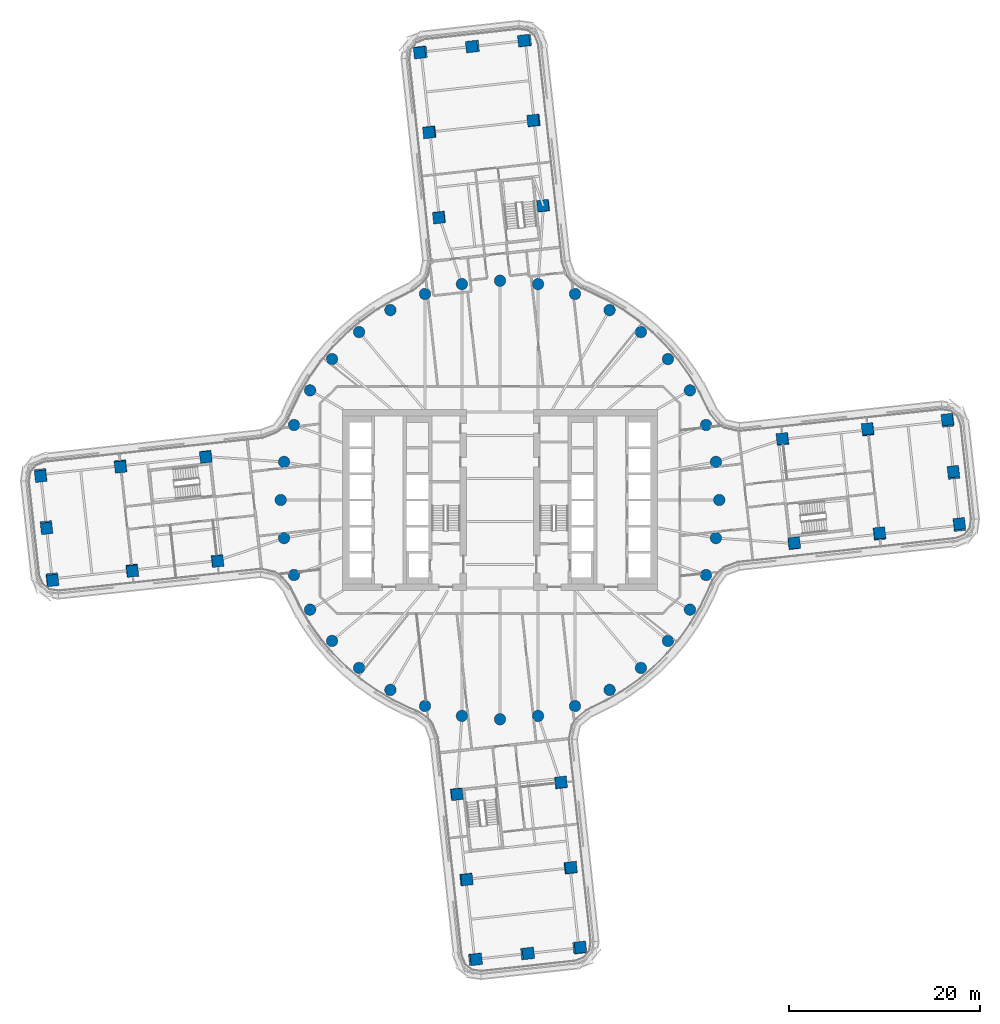
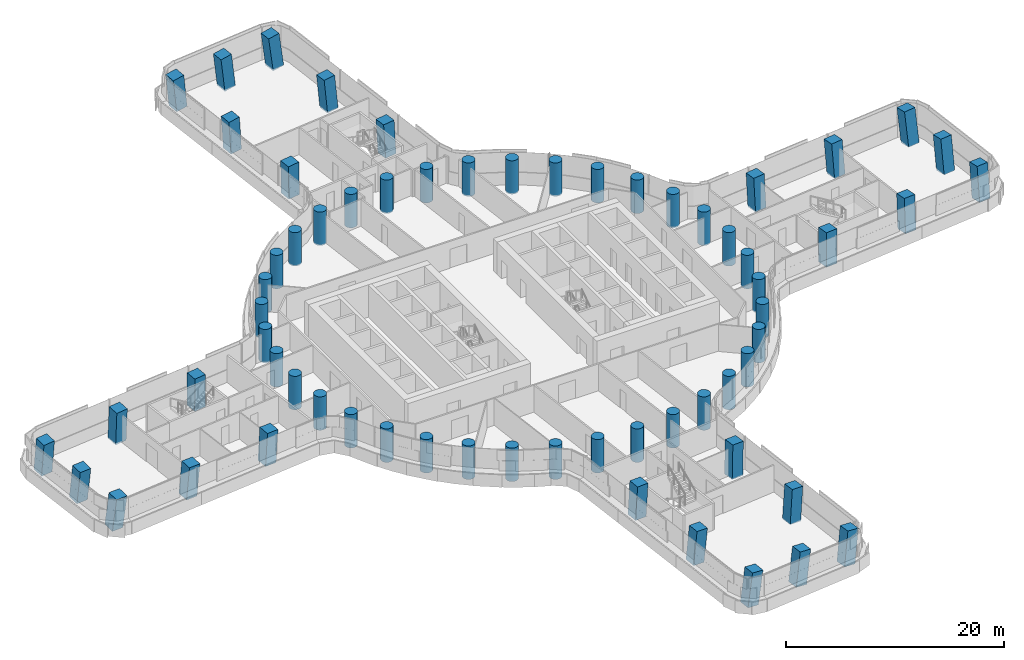
# One storey, part 1 of 31: 64 columns.
"""IFC4 building model written with IfcOpenShell, lengths in metres."""

from ifc_helpers import new_model, si_unit, direction, frame, origin, origin_2d, place, context, subcontext, project, spatial, rectangle, circle, extrude, material, material_profile, profile_set, type_object, element, save


model = new_model("IFC4")

# Units and contexts
model_context = context("Model", 3, precision=1e-05, world=origin(), true_north=direction((0.0, 1.0)))
body_context = subcontext(model_context, "Body", "Model", "MODEL_VIEW")
ifc_project = project(units=[si_unit("LENGTHUNIT", "METRE"), si_unit("AREAUNIT", "SQUARE_METRE"), si_unit("VOLUMEUNIT", "CUBIC_METRE"), si_unit("PLANEANGLEUNIT", "RADIAN"), si_unit("MASSUNIT", "GRAM", prefix="KILO")], contexts=[model_context])

# Site, building, storey
site_placement = place(None, origin())
site = spatial("IfcSite", under=ifc_project, at=site_placement, CompositionType="ELEMENT")
building_placement = place(site_placement, origin())
building = spatial("IfcBuilding", under=site, at=building_placement, Name="Tamarind Cross Interchange Tower", CompositionType="ELEMENT")
storey_placement = place(building_placement, frame((0.0, 0.0, 56.5)))
storey = spatial("IfcBuildingStorey", under=building, at=storey_placement, Name="L12", CompositionType="ELEMENT", Elevation=56.5)

# Columns
ifc_material = material(Name="Concrete C70", Category="concrete")
ifc_material_profile_1 = material_profile(ifc_material, rectangle(XDim=1.199951171875, YDim=1.199951171875, at=origin_2d()), Name="RC 1200x1200")
ifc_profile_set_1 = profile_set([ifc_material_profile_1], Name="Concrete C70")
column_type_1 = type_object("IfcColumnType", Name="Column RC 1200x1200 Concrete C70", PredefinedType="COLUMN", material=ifc_profile_set_1)
for number, where, z_axis, x_axis, name in (
    (1, (38.595947265625, 7.356201171875, -0.138427734375), (-0.036347795129, 0.080094962837, 0.99612430686), (0.107346929552, -0.990702621431, 0.083576028891), "Column L12-036"),
    (2, (39.797119140625, -3.577880859375, -0.138427734375), (0.016551312895, 0.08632645549, 0.99612940782), (-0.993821921388, -0.107930152163, 0.025866403358), "Column L12-037"),
):
    element("IfcColumn", number, at=place(storey_placement, frame(where, z_axis=z_axis, x_axis=x_axis)), inside=storey, type_object=column_type_1, Name=name, PredefinedType="COLUMN", context=body_context, shape_type="SweptSolid", body=[
        extrude(rectangle(XDim=1.199951171875, YDim=1.199951171875, at=origin_2d()), origin(), (0.0, 0.0, 1.0), 3.761474609375),
    ])
for number, where, z_axis, x_axis, name in (
    (3, (29.649658203125, 6.37353515625, -0.138671875), (-0.031235905956, 0.036832339106, 0.998833167739), (0.108188833177, -0.9933248074, 0.04001254029), "Column L12-038"),
    (4, (30.85107421875, -4.560791015625, -0.138671875), (0.02173490651, 0.043209514738, 0.998829580897), (-0.993664627099, -0.109253592138, 0.026348841659), "Column L12-039"),
):
    element("IfcColumn", number, at=place(storey_placement, frame(where, z_axis=z_axis, x_axis=x_axis)), inside=storey, type_object=column_type_1, Name=name, PredefinedType="COLUMN", context=body_context, shape_type="SweptSolid", body=[
        extrude(rectangle(XDim=1.199951171875, YDim=1.199951171875, at=origin_2d()), origin(), (0.0, 0.0, 1.0), 3.751708984375),
    ])
column_1_placement = place(storey_placement, frame((48.186279296875, -2.65625, -0.138671875), z_axis=(0.003619624892, 0.125394148037, 0.992100401146), x_axis=(-0.993956183628, -0.10840139186, 0.017327529252)))
element("IfcColumn", 5, at=column_1_placement, inside=storey, type_object=column_type_1, Name="Column L12-040", PredefinedType="COLUMN", context=body_context, shape_type="SweptSolid", body=[
    extrude(rectangle(XDim=1.199951171875, YDim=1.199951171875, at=origin_2d()), origin(), (0.0, 0.0, 1.0), 3.777099609375),
])
column_2_placement = place(storey_placement, frame((47.585693359375, 2.810791015625, -0.138671875), z_axis=(-0.022690319304, 0.122307931974, 0.992232794855), x_axis=(0.107740932246, -0.986408906586, 0.12405386139)))
element("IfcColumn", 6, at=column_2_placement, inside=storey, type_object=column_type_1, Name="Column L12-041", PredefinedType="COLUMN", context=body_context, shape_type="SweptSolid", body=[
    extrude(rectangle(XDim=1.199951171875, YDim=1.199951171875, at=origin_2d()), origin(), (0.0, 0.0, 1.0), 3.776611328125),
])
column_3_placement = place(storey_placement, frame((46.985107421875, 8.27783203125, -0.138427734375), z_axis=(-0.049044032438, 0.119088474023, 0.99167162823), x_axis=(0.106344795491, -0.986599965875, 0.123738804775)))
element("IfcColumn", 7, at=column_3_placement, inside=storey, type_object=column_type_1, Name="Column L12-042", PredefinedType="COLUMN", context=body_context, shape_type="SweptSolid", body=[
    extrude(rectangle(XDim=1.199951171875, YDim=1.199951171875, at=origin_2d()), origin(), (0.0, 0.0, 1.0), 3.7783203125),
])
for number, where, z_axis, x_axis, name in (
    (8, (-7.356201171875, 38.595947265625, -0.138427734375), (-0.080094962837, -0.036347795129, 0.99612430686), (0.990702621431, 0.107346929552, 0.083576028891), "Column L12-043"),
    (9, (3.577880859375, 39.797119140625, -0.138427734375), (-0.08632645549, 0.016551312895, 0.99612940782), (0.107930152163, -0.993821921388, 0.025866403358), "Column L12-044"),
):
    element("IfcColumn", number, at=place(storey_placement, frame(where, z_axis=z_axis, x_axis=x_axis)), inside=storey, type_object=column_type_1, Name=name, PredefinedType="COLUMN", context=body_context, shape_type="SweptSolid", body=[
        extrude(rectangle(XDim=1.199951171875, YDim=1.199951171875, at=origin_2d()), origin(), (0.0, 0.0, 1.0), 3.761474609375),
    ])
for number, where, z_axis, x_axis, name in (
    (10, (-6.37353515625, 29.649658203125, -0.138671875), (-0.036832339106, -0.031235905956, 0.998833167739), (0.9933248074, 0.108188833177, 0.04001254029), "Column L12-045"),
    (11, (4.560791015625, 30.85107421875, -0.138671875), (-0.043209514738, 0.02173490651, 0.998829580897), (0.109253592138, -0.993664627099, 0.026348841659), "Column L12-046"),
):
    element("IfcColumn", number, at=place(storey_placement, frame(where, z_axis=z_axis, x_axis=x_axis)), inside=storey, type_object=column_type_1, Name=name, PredefinedType="COLUMN", context=body_context, shape_type="SweptSolid", body=[
        extrude(rectangle(XDim=1.199951171875, YDim=1.199951171875, at=origin_2d()), origin(), (0.0, 0.0, 1.0), 3.751708984375),
    ])
column_4_placement = place(storey_placement, frame((2.65625, 48.186279296875, -0.138671875), z_axis=(-0.125394148037, 0.003619624892, 0.992100401146), x_axis=(0.10840139186, -0.993956183628, 0.017327529252)))
element("IfcColumn", 12, at=column_4_placement, inside=storey, type_object=column_type_1, Name="Column L12-047", PredefinedType="COLUMN", context=body_context, shape_type="SweptSolid", body=[
    extrude(rectangle(XDim=1.199951171875, YDim=1.199951171875, at=origin_2d()), origin(), (0.0, 0.0, 1.0), 3.777099609375),
])
column_5_placement = place(storey_placement, frame((-2.810791015625, 47.585693359375, -0.138671875), z_axis=(-0.122307931974, -0.022690319304, 0.992232794855), x_axis=(0.986408906586, 0.107740932246, 0.12405386139)))
element("IfcColumn", 13, at=column_5_placement, inside=storey, type_object=column_type_1, Name="Column L12-048", PredefinedType="COLUMN", context=body_context, shape_type="SweptSolid", body=[
    extrude(rectangle(XDim=1.199951171875, YDim=1.199951171875, at=origin_2d()), origin(), (0.0, 0.0, 1.0), 3.776611328125),
])
column_6_placement = place(storey_placement, frame((-8.27783203125, 46.985107421875, -0.138427734375), z_axis=(-0.119088474023, -0.049044032438, 0.99167162823), x_axis=(0.986599965875, 0.106344795491, 0.123738804775)))
element("IfcColumn", 14, at=column_6_placement, inside=storey, type_object=column_type_1, Name="Column L12-049", PredefinedType="COLUMN", context=body_context, shape_type="SweptSolid", body=[
    extrude(rectangle(XDim=1.199951171875, YDim=1.199951171875, at=origin_2d()), origin(), (0.0, 0.0, 1.0), 3.7783203125),
])
for number, where, z_axis, x_axis, name in (
    (15, (-38.595947265625, -7.356201171875, -0.138427734375), (0.036347795129, -0.080094962837, 0.99612430686), (-0.107346929552, 0.990702621431, 0.083576028891), "Column L12-050"),
    (16, (-39.797119140625, 3.577880859375, -0.138427734375), (-0.016551312895, -0.08632645549, 0.99612940782), (0.993821921388, 0.107930152163, 0.025866403358), "Column L12-051"),
):
    element("IfcColumn", number, at=place(storey_placement, frame(where, z_axis=z_axis, x_axis=x_axis)), inside=storey, type_object=column_type_1, Name=name, PredefinedType="COLUMN", context=body_context, shape_type="SweptSolid", body=[
        extrude(rectangle(XDim=1.199951171875, YDim=1.199951171875, at=origin_2d()), origin(), (0.0, 0.0, 1.0), 3.761474609375),
    ])
for number, where, z_axis, x_axis, name in (
    (17, (-29.649658203125, -6.37353515625, -0.138671875), (0.031235905956, -0.036832339106, 0.998833167739), (-0.108188833177, 0.9933248074, 0.04001254029), "Column L12-052"),
    (18, (-30.85107421875, 4.560791015625, -0.138671875), (-0.02173490651, -0.043209514738, 0.998829580897), (0.993664627099, 0.109253592138, 0.026348841659), "Column L12-053"),
):
    element("IfcColumn", number, at=place(storey_placement, frame(where, z_axis=z_axis, x_axis=x_axis)), inside=storey, type_object=column_type_1, Name=name, PredefinedType="COLUMN", context=body_context, shape_type="SweptSolid", body=[
        extrude(rectangle(XDim=1.199951171875, YDim=1.199951171875, at=origin_2d()), origin(), (0.0, 0.0, 1.0), 3.751708984375),
    ])
column_7_placement = place(storey_placement, frame((-48.186279296875, 2.65625, -0.138671875), z_axis=(-0.003619624892, -0.125394148037, 0.992100401146), x_axis=(0.993956183628, 0.10840139186, 0.017327529252)))
element("IfcColumn", 19, at=column_7_placement, inside=storey, type_object=column_type_1, Name="Column L12-054", PredefinedType="COLUMN", context=body_context, shape_type="SweptSolid", body=[
    extrude(rectangle(XDim=1.199951171875, YDim=1.199951171875, at=origin_2d()), origin(), (0.0, 0.0, 1.0), 3.777099609375),
])
column_8_placement = place(storey_placement, frame((-47.585693359375, -2.810791015625, -0.138671875), z_axis=(0.022690319304, -0.122307931974, 0.992232794855), x_axis=(-0.107740932246, 0.986408906586, 0.12405386139)))
element("IfcColumn", 20, at=column_8_placement, inside=storey, type_object=column_type_1, Name="Column L12-055", PredefinedType="COLUMN", context=body_context, shape_type="SweptSolid", body=[
    extrude(rectangle(XDim=1.199951171875, YDim=1.199951171875, at=origin_2d()), origin(), (0.0, 0.0, 1.0), 3.776611328125),
])
column_9_placement = place(storey_placement, frame((-46.985107421875, -8.27783203125, -0.138427734375), z_axis=(0.049044032438, -0.119088474023, 0.99167162823), x_axis=(-0.106344795491, 0.986599965875, 0.123738804775)))
element("IfcColumn", 21, at=column_9_placement, inside=storey, type_object=column_type_1, Name="Column L12-056", PredefinedType="COLUMN", context=body_context, shape_type="SweptSolid", body=[
    extrude(rectangle(XDim=1.199951171875, YDim=1.199951171875, at=origin_2d()), origin(), (0.0, 0.0, 1.0), 3.7783203125),
])
for number, where, z_axis, x_axis, name in (
    (22, (7.356201171875, -38.595947265625, -0.138427734375), (0.080094962837, 0.036347795129, 0.99612430686), (-0.990702621431, -0.107346929552, 0.083576028891), "Column L12-057"),
    (23, (-3.577880859375, -39.797119140625, -0.138427734375), (0.08632645549, -0.016551312895, 0.99612940782), (-0.107930152163, 0.993821921388, 0.025866403358), "Column L12-058"),
):
    element("IfcColumn", number, at=place(storey_placement, frame(where, z_axis=z_axis, x_axis=x_axis)), inside=storey, type_object=column_type_1, Name=name, PredefinedType="COLUMN", context=body_context, shape_type="SweptSolid", body=[
        extrude(rectangle(XDim=1.199951171875, YDim=1.199951171875, at=origin_2d()), origin(), (0.0, 0.0, 1.0), 3.761474609375),
    ])
for number, where, z_axis, x_axis, name in (
    (24, (6.37353515625, -29.649658203125, -0.138671875), (0.036832339106, 0.031235905956, 0.998833167739), (-0.9933248074, -0.108188833177, 0.04001254029), "Column L12-059"),
    (25, (-4.560791015625, -30.85107421875, -0.138671875), (0.043209514738, -0.02173490651, 0.998829580897), (-0.109253592138, 0.993664627099, 0.026348841659), "Column L12-060"),
):
    element("IfcColumn", number, at=place(storey_placement, frame(where, z_axis=z_axis, x_axis=x_axis)), inside=storey, type_object=column_type_1, Name=name, PredefinedType="COLUMN", context=body_context, shape_type="SweptSolid", body=[
        extrude(rectangle(XDim=1.199951171875, YDim=1.199951171875, at=origin_2d()), origin(), (0.0, 0.0, 1.0), 3.751708984375),
    ])
column_10_placement = place(storey_placement, frame((-2.65625, -48.186279296875, -0.138671875), z_axis=(0.125394148037, -0.003619624892, 0.992100401146), x_axis=(-0.10840139186, 0.993956183628, 0.017327529252)))
element("IfcColumn", 26, at=column_10_placement, inside=storey, type_object=column_type_1, Name="Column L12-061", PredefinedType="COLUMN", context=body_context, shape_type="SweptSolid", body=[
    extrude(rectangle(XDim=1.199951171875, YDim=1.199951171875, at=origin_2d()), origin(), (0.0, 0.0, 1.0), 3.777099609375),
])
column_11_placement = place(storey_placement, frame((2.810791015625, -47.585693359375, -0.138671875), z_axis=(0.122307931974, 0.022690319304, 0.992232794855), x_axis=(-0.986408906586, -0.107740932246, 0.12405386139)))
element("IfcColumn", 27, at=column_11_placement, inside=storey, type_object=column_type_1, Name="Column L12-062", PredefinedType="COLUMN", context=body_context, shape_type="SweptSolid", body=[
    extrude(rectangle(XDim=1.199951171875, YDim=1.199951171875, at=origin_2d()), origin(), (0.0, 0.0, 1.0), 3.776611328125),
])
column_12_placement = place(storey_placement, frame((8.27783203125, -46.985107421875, -0.138427734375), z_axis=(0.119088474023, 0.049044032438, 0.99167162823), x_axis=(-0.986599965875, -0.106344795491, 0.123738804775)))
element("IfcColumn", 28, at=column_12_placement, inside=storey, type_object=column_type_1, Name="Column L12-063", PredefinedType="COLUMN", context=body_context, shape_type="SweptSolid", body=[
    extrude(rectangle(XDim=1.199951171875, YDim=1.199951171875, at=origin_2d()), origin(), (0.0, 0.0, 1.0), 3.7783203125),
])
ifc_material_profile_2 = material_profile(ifc_material, circle(Radius=0.60009765625, at=origin_2d()), Name="RC D1200")
ifc_profile_set_2 = profile_set([ifc_material_profile_2], Name="Concrete C70")
column_type_2 = type_object("IfcColumnType", Name="Column RC D1200 Concrete C70", PredefinedType="COLUMN", material=ifc_profile_set_2)
for number, where, z_axis, x_axis, name in (
    (29, (23.0, 0.0, -0.139892578125), (0.0, 0.0, 1.0), (1.0, 0.0, 0.0), "Column L12-000"),
    (30, (22.650634765625, 3.993896484375, -0.139892578125), (0.0, 0.0, 1.0), (1.0, 0.0, 0.0), "Column L12-001"),
    (31, (21.613037109375, 7.866455078125, -0.139892578125), (0.0, 0.0, 1.0), (1.0, 0.0, 0.0), "Column L12-002"),
    (32, (19.918701171875, 11.5, -0.139892578125), (0.0, 0.0, 1.0), (1.0, 0.0, 0.0), "Column L12-003"),
    (33, (17.619140625, 14.7841796875, -0.139892578125), (0.0, 0.0, 1.0), (1.0, 0.0, 0.0), "Column L12-004"),
    (34, (14.7841796875, 17.619140625, -0.139892578125), (0.0, 0.0, 1.0), (1.0, 0.0, 0.0), "Column L12-005"),
    (35, (11.5, 19.918701171875, -0.139892578125), (0.0, 0.0, 1.0), (1.0, 0.0, 0.0), "Column L12-006"),
    (36, (7.866455078125, 21.613037109375, -0.139892578125), (0.0, 0.0, 1.0), (1.0, 0.0, 0.0), "Column L12-007"),
    (37, (3.993896484375, 22.650634765625, -0.139892578125), (0.0, 0.0, 1.0), (1.0, 0.0, 0.0), "Column L12-008"),
    (38, (0.0, 23.0, -0.139892578125), (0.0, 0.0, 1.0), (1.0, 0.0, 0.0), "Column L12-009"),
    (39, (-3.993896484375, 22.650634765625, -0.139892578125), (0.0, 0.0, 1.0), (1.0, 0.0, 0.0), "Column L12-010"),
    (40, (-7.866455078125, 21.613037109375, -0.139892578125), (0.0, 0.0, 1.0), (1.0, 0.0, 0.0), "Column L12-011"),
    (41, (-11.5, 19.918701171875, -0.139892578125), (0.0, 0.0, 1.0), (1.0, 0.0, 0.0), "Column L12-012"),
    (42, (-14.7841796875, 17.619140625, -0.139892578125), (0.0, 0.0, 1.0), (1.0, 0.0, 0.0), "Column L12-013"),
    (43, (-17.619140625, 14.7841796875, -0.139892578125), (0.0, 0.0, 1.0), (1.0, 0.0, 0.0), "Column L12-014"),
    (44, (-19.918701171875, 11.5, -0.139892578125), (0.0, 0.0, 1.0), (1.0, 0.0, 0.0), "Column L12-015"),
    (45, (-21.613037109375, 7.866455078125, -0.139892578125), (0.0, 0.0, 1.0), (1.0, 0.0, 0.0), "Column L12-016"),
    (46, (-22.650634765625, 3.993896484375, -0.139892578125), (0.0, 0.0, 1.0), (1.0, 0.0, 0.0), "Column L12-017"),
    (47, (-23.0, 0.0, -0.139892578125), (0.0, 0.0, 1.0), (1.0, 0.0, 0.0), "Column L12-018"),
    (48, (-22.650634765625, -3.993896484375, -0.139892578125), (0.0, 0.0, 1.0), (1.0, 0.0, 0.0), "Column L12-019"),
    (49, (-21.613037109375, -7.866455078125, -0.139892578125), (0.0, 0.0, 1.0), (1.0, 0.0, 0.0), "Column L12-020"),
    (50, (-19.918701171875, -11.5, -0.139892578125), (0.0, 0.0, 1.0), (1.0, 0.0, 0.0), "Column L12-021"),
    (51, (-17.619140625, -14.7841796875, -0.139892578125), (0.0, 0.0, 1.0), (1.0, 0.0, 0.0), "Column L12-022"),
    (52, (-14.7841796875, -17.619140625, -0.139892578125), (0.0, 0.0, 1.0), (1.0, 0.0, 0.0), "Column L12-023"),
    (53, (-11.5, -19.918701171875, -0.139892578125), (0.0, 0.0, 1.0), (1.0, 0.0, 0.0), "Column L12-024"),
    (54, (-7.866455078125, -21.613037109375, -0.139892578125), (0.0, 0.0, 1.0), (1.0, 0.0, 0.0), "Column L12-025"),
    (55, (-3.993896484375, -22.650634765625, -0.139892578125), (0.0, 0.0, 1.0), (1.0, 0.0, 0.0), "Column L12-026"),
    (56, (0.0, -23.0, -0.139892578125), (0.0, 0.0, 1.0), (1.0, 0.0, 0.0), "Column L12-027"),
    (57, (3.993896484375, -22.650634765625, -0.139892578125), (0.0, 0.0, 1.0), (1.0, 0.0, 0.0), "Column L12-028"),
    (58, (7.866455078125, -21.613037109375, -0.139892578125), (0.0, 0.0, 1.0), (1.0, 0.0, 0.0), "Column L12-029"),
    (59, (11.5, -19.918701171875, -0.139892578125), (0.0, 0.0, 1.0), (1.0, 0.0, 0.0), "Column L12-030"),
    (60, (14.7841796875, -17.619140625, -0.139892578125), (0.0, 0.0, 1.0), (1.0, 0.0, 0.0), "Column L12-031"),
    (61, (17.619140625, -14.7841796875, -0.139892578125), (0.0, 0.0, 1.0), (1.0, 0.0, 0.0), "Column L12-032"),
    (62, (19.918701171875, -11.5, -0.139892578125), (0.0, 0.0, 1.0), (1.0, 0.0, 0.0), "Column L12-033"),
    (63, (21.613037109375, -7.866455078125, -0.139892578125), (0.0, 0.0, 1.0), (1.0, 0.0, 0.0), "Column L12-034"),
    (64, (22.650634765625, -3.993896484375, -0.139892578125), (0.0, 0.0, 1.0), (1.0, 0.0, 0.0), "Column L12-035"),
):
    element("IfcColumn", number, at=place(storey_placement, frame(where, z_axis=z_axis, x_axis=x_axis)), inside=storey, type_object=column_type_2, Name=name, PredefinedType="COLUMN", context=body_context, shape_type="SweptSolid", body=[
        extrude(circle(Radius=0.60009765625, at=origin_2d()), origin(), (0.0, 0.0, 1.0), 3.75),
    ])

save(model, "model.ifc")
